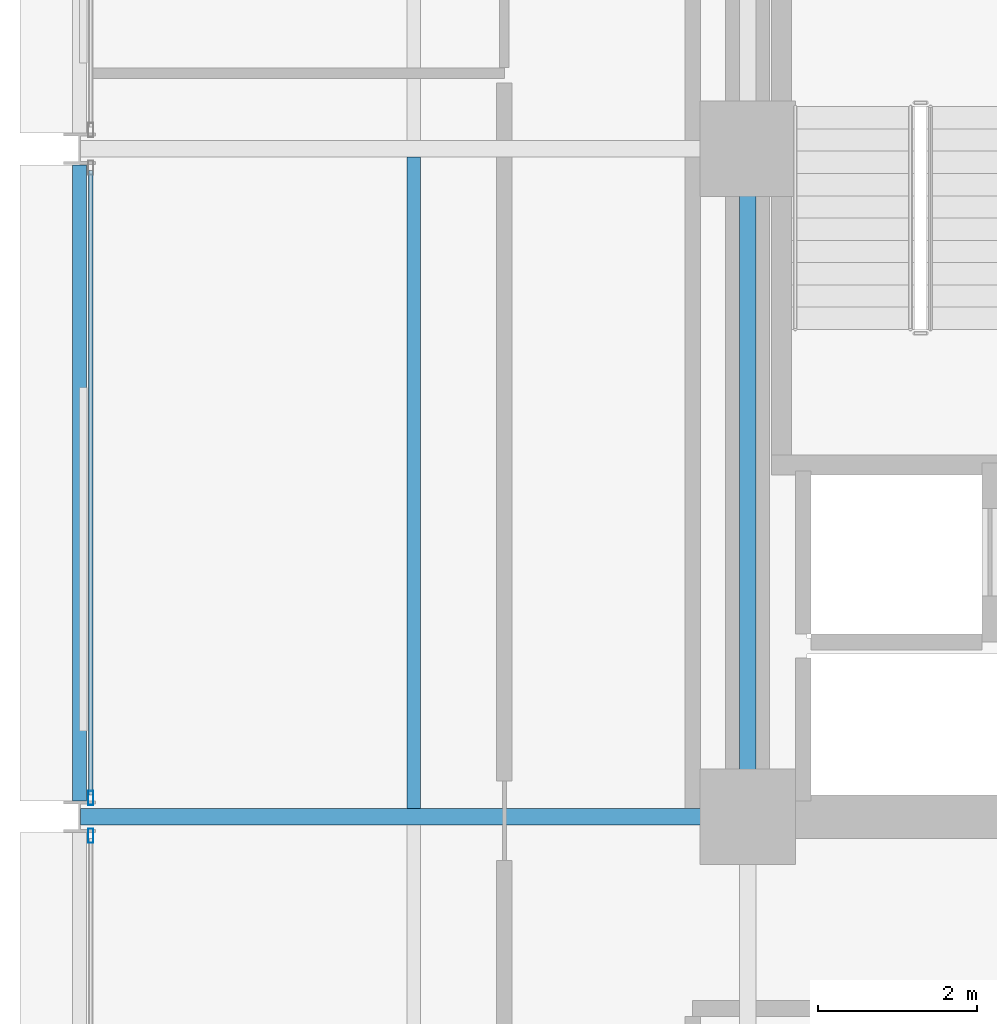
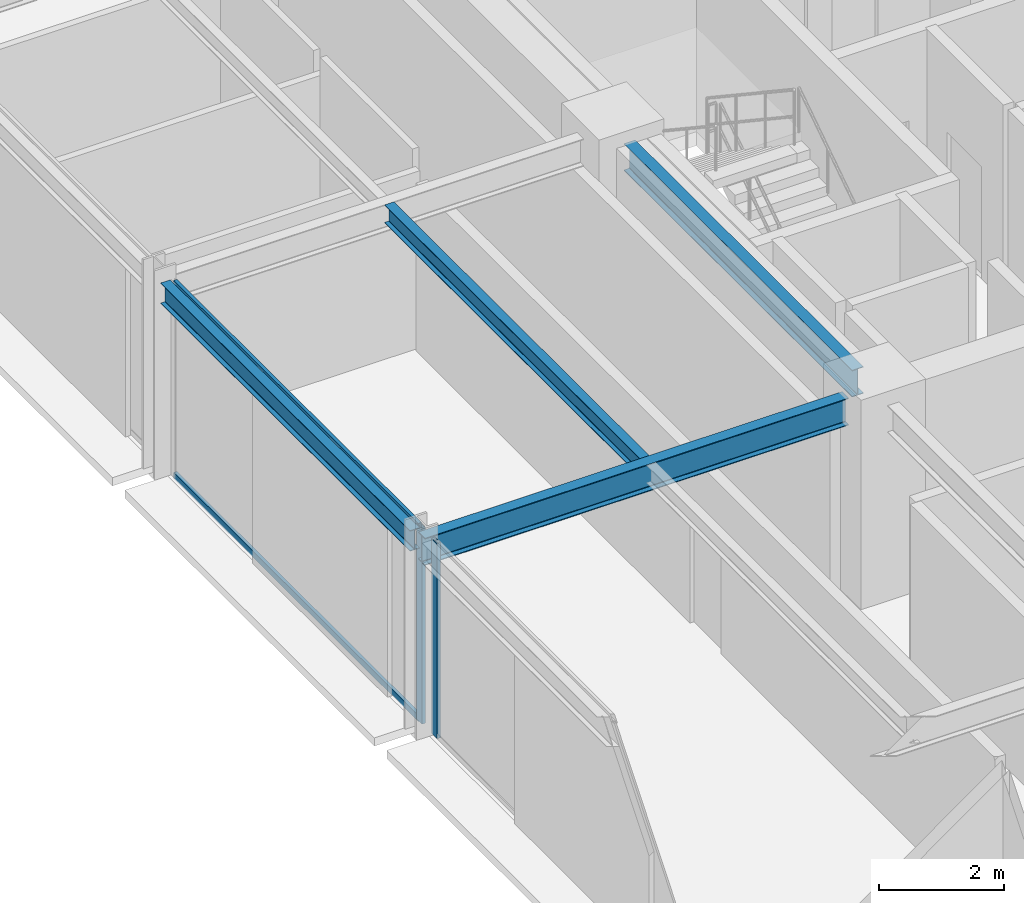
# One storey, part 13 of 39: 4 beams, 4 members, 2 elements without a shape of their own.
"""IFC4 building model written with IfcOpenShell, lengths in metres."""

from ifc_helpers import new_model, si_unit, direction, frame, origin, origin_2d, place, context, subcontext, project, spatial, hollow_rectangle, i_section, extrude, material, layer, layer_set, material_profile, profile_set, type_object, element, aggregate, save


model = new_model("IFC4")

# Units and contexts
model_context = context("Model", 3, precision=1e-05, world=origin(), true_north=direction((0.0, 1.0)))
body_context = subcontext(model_context, "Body", "Model", "MODEL_VIEW")
ifc_project = project(units=[si_unit("LENGTHUNIT", "METRE"), si_unit("AREAUNIT", "SQUARE_METRE"), si_unit("VOLUMEUNIT", "CUBIC_METRE"), si_unit("PLANEANGLEUNIT", "RADIAN"), si_unit("MASSUNIT", "GRAM", prefix="KILO")], contexts=[model_context])

# Site, building, storey
site_placement = place(None, origin())
site = spatial("IfcSite", under=ifc_project, at=site_placement, CompositionType="ELEMENT")
building_placement = place(site_placement, origin())
building = spatial("IfcBuilding", under=site, at=building_placement, Name="Nerrivon Quay Data Exchange", CompositionType="ELEMENT")
storey_placement = place(building_placement, frame((0.0, 0.0, 104.89990234375)))
storey = spatial("IfcBuildingStorey", under=building, at=storey_placement, Name="L24", CompositionType="ELEMENT", Elevation=104.89990234375)

# Beams
ifc_material_1 = material(Name="Steel Grade 350", Category="steel")
ifc_material_profile_1 = material_profile(ifc_material_1, i_section(OverallWidth=0.208984375, OverallDepth=0.532958984375, WebThickness=0.01025390625, FlangeThickness=0.015625, FilletRadius=0.013916015625, at=origin_2d()), Name="530UB92.4")
ifc_profile_set_1 = profile_set([ifc_material_profile_1], Name="Steel Grade 350")
beam_type_1 = type_object("IfcBeamType", Name="BM-G3-530UB92", PredefinedType="BEAM", material=ifc_profile_set_1)
beam_1_placement = place(storey_placement, frame((0.012451171875, 25.199951171875, 3.55859375), z_axis=(1.0, 0.0, 0.0), x_axis=(0.0, 1.0, 0.0)))
element("IfcBeam", 1, at=beam_1_placement, inside=storey, type_object=beam_type_1, Name="L24 EW Girder Y=25.2 (0.0..8.4)", PredefinedType="BEAM", context=body_context, shape_type="SweptSolid", body=[
    extrude(i_section(OverallWidth=0.208984375, OverallDepth=0.532958984375, WebThickness=0.01025390625, FlangeThickness=0.015625, FilletRadius=0.013916015625, at=origin_2d()), origin(), (0.0, 0.0, 1.0), 7.84765625),
])
ifc_material_profile_2 = material_profile(ifc_material_1, i_section(OverallWidth=0.208984375, OverallDepth=0.528076171875, WebThickness=0.009521484375, FlangeThickness=0.01318359375, FilletRadius=0.013916015625, at=origin_2d()), Name="530UB82.0")
ifc_profile_set_2 = profile_set([ifc_material_profile_2], Name="Steel Grade 350")
beam_type_2 = type_object("IfcBeamType", Name="BM-G4-530UB82", PredefinedType="BEAM", material=ifc_profile_set_2)
beam_2_placement = place(storey_placement, frame((8.39990234375, 25.739990234375, 3.56103515625), z_axis=(0.0, 1.0, 0.0), x_axis=(-1.0, 0.0, 0.0)))
element("IfcBeam", 2, at=beam_2_placement, inside=storey, type_object=beam_type_2, Name="L24 NS Girder X=8.4 (25.2..33.6)", PredefinedType="BEAM", context=body_context, shape_type="SweptSolid", body=[
    extrude(i_section(OverallWidth=0.208984375, OverallDepth=0.528076171875, WebThickness=0.009521484375, FlangeThickness=0.01318359375, FilletRadius=0.013916015625, at=origin_2d()), origin(), (0.0, 0.0, 1.0), 7.320068359375),
])
ifc_material_profile_3 = material_profile(ifc_material_1, i_section(OverallWidth=0.1708984375, OverallDepth=0.35595703125, WebThickness=0.00732421875, FlangeThickness=0.011474609375, FilletRadius=0.011474609375, at=origin_2d()), Name="360UB50.7")
ifc_profile_set_3 = profile_set([ifc_material_profile_3], Name="Steel Grade 350")
beam_type_3 = type_object("IfcBeamType", Name="BM-J4-360UB51", PredefinedType="JOIST", material=ifc_profile_set_3)
beam_3_placement = place(storey_placement, frame((4.199951171875, 25.304443359375, 3.647216796875), z_axis=(0.0, 1.0, 0.0), x_axis=(-1.0, 0.0, 0.0)))
element("IfcBeam", 3, at=beam_3_placement, inside=storey, type_object=beam_type_3, Name="L24 Secondary Joist X=4.2 (25.2..33.6)", PredefinedType="JOIST", context=body_context, shape_type="SweptSolid", body=[
    extrude(i_section(OverallWidth=0.1708984375, OverallDepth=0.35595703125, WebThickness=0.00732421875, FlangeThickness=0.011474609375, FilletRadius=0.011474609375, at=origin_2d()), origin(), (0.0, 0.0, 1.0), 8.191162109375),
])
ifc_material_profile_4 = material_profile(ifc_material_1, i_section(OverallWidth=0.177978515625, OverallDepth=0.403076171875, WebThickness=0.007568359375, FlangeThickness=0.010986328125, FilletRadius=0.011474609375, at=origin_2d()), Name="410UB53.7")
ifc_profile_set_4 = profile_set([ifc_material_profile_4], Name="Steel Grade 350")
beam_type_4 = type_object("IfcBeamType", Name="BM-SP2-410UB54", PredefinedType="SPANDREL", material=ifc_profile_set_4)
beam_4_placement = place(storey_placement, frame((0.0, 25.39990234375, 3.62353515625), z_axis=(0.0, 1.0, 0.0), x_axis=(-1.0, 0.0, 0.0)))
element("IfcBeam", 4, at=beam_4_placement, inside=storey, type_object=beam_type_4, Name="L24 NS Girder X=0.0 (25.2..33.6)", PredefinedType="SPANDREL", context=body_context, shape_type="SweptSolid", body=[
    extrude(i_section(OverallWidth=0.177978515625, OverallDepth=0.403076171875, WebThickness=0.007568359375, FlangeThickness=0.010986328125, FilletRadius=0.011474609375, at=origin_2d()), origin(), (0.0, 0.0, 1.0), 8.0),
])

# Curtain wall, member
ifc_material_2 = material(Name="Anodised aluminium 6063-T6", Category="aluminium")
ifc_layer = layer(ifc_material_2, 0.2099609375)
ifc_layer_set = layer_set([ifc_layer], Name="Anodised aluminium 6063-T6")
curtain_wall_type = type_object("IfcCurtainWallType", Name="CW-SYS-02", PredefinedType="NOTDEFINED", material=ifc_layer_set)
curtain_wall_1_placement = place(storey_placement, origin())
curtain_wall_1 = element("IfcCurtainWall", 5, at=curtain_wall_1_placement, inside=storey, type_object=curtain_wall_type, Name="L24 Unitised Curtain Wall 19", PredefinedType="NOTDEFINED")
ifc_material_profile_5 = material_profile(ifc_material_2, hollow_rectangle(XDim=0.06494140625, YDim=0.179931640625, WallThickness=0.00341796875, at=origin_2d()), Name="ALU-MULL-180x65")
ifc_profile_set_5 = profile_set([ifc_material_profile_5], Name="Anodised aluminium 6063-T6")
member_type_1 = type_object("IfcMemberType", Name="CWM-180x65", PredefinedType="MULLION", material=ifc_profile_set_5)
member_1_placement = place(storey_placement, frame((0.139892578125, 24.96240234375, 0.0), z_axis=(0.0, 0.0, 1.0), x_axis=(-1.0, 0.0, 0.0)))
member_1 = element("IfcMember", 6, at=member_1_placement, type_object=member_type_1, Name="CW02 mullion 2", PredefinedType="MULLION", context=body_context, shape_type="SweptSolid", body=[
    extrude(hollow_rectangle(XDim=0.06494140625, YDim=0.179931640625, WallThickness=0.00341796875, at=origin_2d()), origin(), (0.0, 0.0, 1.0), 3.8251953125),
])
aggregate(curtain_wall_1, [member_1])

# Curtain wall, members
curtain_wall_2_placement = place(storey_placement, origin())
curtain_wall_2 = element("IfcCurtainWall", 7, at=curtain_wall_2_placement, inside=storey, type_object=curtain_wall_type, Name="L24 Unitised Curtain Wall 20", PredefinedType="NOTDEFINED")
member_2_placement = place(storey_placement, frame((0.139892578125, 25.4375, 0.0), z_axis=(0.0, 0.0, 1.0), x_axis=(-1.0, 0.0, 0.0)))
member_2 = element("IfcMember", 8, at=member_2_placement, type_object=member_type_1, Name="CW02 mullion 1", PredefinedType="MULLION", context=body_context, shape_type="SweptSolid", body=[
    extrude(hollow_rectangle(XDim=0.06494140625, YDim=0.179931640625, WallThickness=0.00341796875, at=origin_2d()), origin(), (0.0, 0.0, 1.0), 3.8251953125),
])
ifc_material_profile_6 = material_profile(ifc_material_2, hollow_rectangle(XDim=0.06005859375, YDim=0.1201171875, WallThickness=0.003173828125, at=origin_2d()), Name="ALU-TRAN-120x60")
ifc_profile_set_6 = profile_set([ifc_material_profile_6], Name="Anodised aluminium 6063-T6")
member_type_2 = type_object("IfcMemberType", Name="CWT-120x60", PredefinedType="USERDEFINED", material=ifc_profile_set_6)
member_3_placement = place(storey_placement, frame((0.139892578125, 25.47509765625, 0.03271484375), z_axis=(0.0, 1.0, 0.0), x_axis=(-1.0, 0.0, 0.0)))
member_3 = element("IfcMember", 9, at=member_3_placement, type_object=member_type_2, Name="CW02 transom 1.1", ObjectType="TRANSOM", PredefinedType="USERDEFINED", context=body_context, shape_type="SweptSolid", body=[
    extrude(hollow_rectangle(XDim=0.06005859375, YDim=0.1201171875, WallThickness=0.003173828125, at=origin_2d()), origin(), (0.0, 0.0, 1.0), 7.849853515625),
])
member_4_placement = place(storey_placement, frame((0.139892578125, 25.47509765625, 3.79248046875), z_axis=(0.0, 1.0, 0.0), x_axis=(-1.0, 0.0, 0.0)))
member_4 = element("IfcMember", 10, at=member_4_placement, type_object=member_type_2, Name="CW02 transom 1.2", ObjectType="TRANSOM", PredefinedType="USERDEFINED", context=body_context, shape_type="SweptSolid", body=[
    extrude(hollow_rectangle(XDim=0.06005859375, YDim=0.1201171875, WallThickness=0.003173828125, at=origin_2d()), origin(), (0.0, 0.0, 1.0), 7.849853515625),
])
aggregate(curtain_wall_2, [member_2, member_3, member_4])

save(model, "model.ifc")
